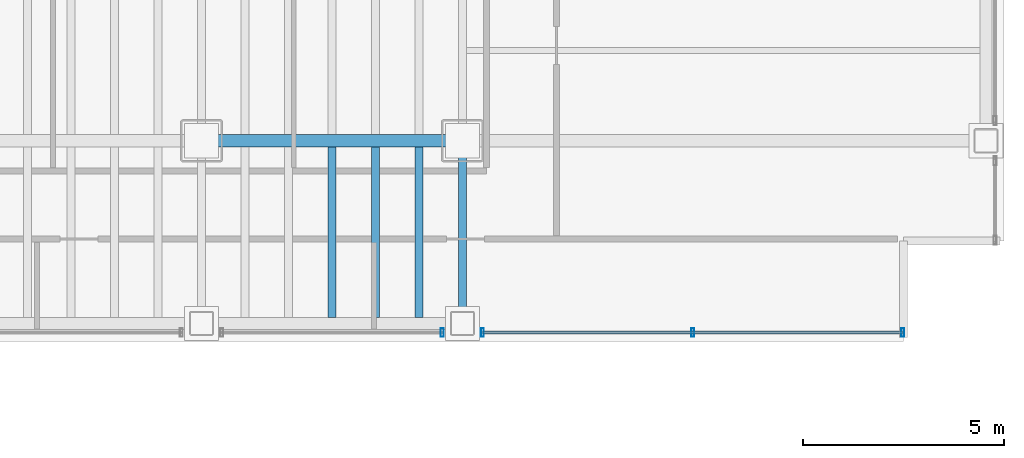
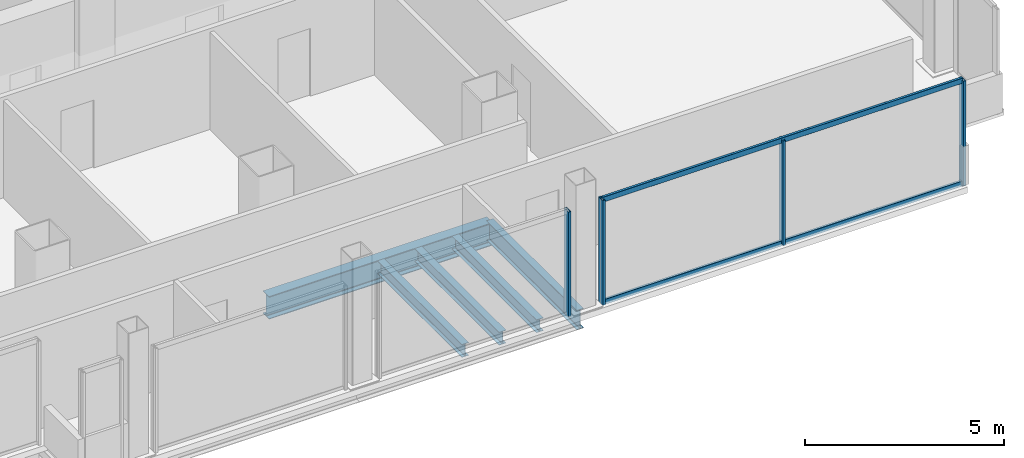
# One storey, part 8 of 20: 6 members, 5 beams, 2 elements without a shape of their own.
"""IFC4 building model written with IfcOpenShell, lengths in metres."""

from ifc_helpers import new_model, si_unit, direction, frame, origin, origin_2d, place, context, subcontext, project, spatial, hollow_rectangle, i_section, extrude, material, material_profile, profile_set, type_object, element, aggregate, save


model = new_model("IFC4")

# Units and contexts
model_context = context("Model", 3, precision=1e-05, world=origin(), true_north=direction((0.0, 1.0)))
body_context = subcontext(model_context, "Body", "Model", "MODEL_VIEW")
ifc_project = project(units=[si_unit("LENGTHUNIT", "METRE"), si_unit("AREAUNIT", "SQUARE_METRE"), si_unit("VOLUMEUNIT", "CUBIC_METRE"), si_unit("PLANEANGLEUNIT", "RADIAN"), si_unit("MASSUNIT", "GRAM", prefix="KILO")], contexts=[model_context])

# Site, building, storey
site_placement = place(None, origin())
site = spatial("IfcSite", under=ifc_project, at=site_placement, CompositionType="ELEMENT")
building_placement = place(site_placement, origin())
building = spatial("IfcBuilding", under=site, at=building_placement, Name="Noeulbin Bourse Tower", CompositionType="ELEMENT")
storey_placement = place(building_placement, frame((0.0, 0.0, 61.60009765625)))
storey = spatial("IfcBuildingStorey", under=building, at=storey_placement, Name="L15", CompositionType="ELEMENT", Elevation=61.60009765625)

# Beams
ifc_material_1 = material(Name="Steel S355", Category="steel")
ifc_material_profile_1 = material_profile(ifc_material_1, i_section(OverallWidth=0.199951171875, OverallDepth=0.60009765625, WebThickness=0.010986328125, FlangeThickness=0.01708984375, FilletRadius=0.02197265625, at=origin_2d()), Name="H-600x200x11x17", Category="LoadBearing")
ifc_profile_set_1 = profile_set([ifc_material_profile_1], Name="Steel S355")
beam_type_1 = type_object("IfcBeamType", Name="BM-GRD-600", PredefinedType="USERDEFINED", material=ifc_profile_set_1)
beam_1_placement = place(storey_placement, frame((44.0, 15.449951171875, -0.47998046875), z_axis=(0.0, 1.0, 0.0), x_axis=(-1.0, 0.0, 0.0)))
element("IfcBeam", 1, at=beam_1_placement, inside=storey, type_object=beam_type_1, Name="Tower Primary Girder NS L15-5.1", ObjectType="GIRDER", PredefinedType="USERDEFINED", context=body_context, shape_type="SweptSolid", body=[
    extrude(i_section(OverallWidth=0.199951171875, OverallDepth=0.60009765625, WebThickness=0.010986328125, FlangeThickness=0.01708984375, FilletRadius=0.02197265625, at=origin_2d()), origin(), (0.0, 0.0, 1.0), 4.550048828125),
])
ifc_material_profile_2 = material_profile(ifc_material_1, i_section(OverallWidth=0.300048828125, OverallDepth=0.699951171875, WebThickness=0.012939453125, FlangeThickness=0.02392578125, FilletRadius=0.02392578125, at=origin_2d()), Name="H-700x300x13x24", Category="LoadBearing")
ifc_profile_set_2 = profile_set([ifc_material_profile_2], Name="Steel S355")
beam_type_2 = type_object("IfcBeamType", Name="BM-GRD-700", PredefinedType="USERDEFINED", material=ifc_profile_set_2)
beam_2_placement = place(storey_placement, frame((37.5, 20.0, -0.530029296875), z_axis=(1.0, 0.0, 0.0), x_axis=(0.0, 1.0, 0.0)))
element("IfcBeam", 2, at=beam_2_placement, inside=storey, type_object=beam_type_2, Name="Tower Primary Girder EW L15-1.5", ObjectType="GIRDER", PredefinedType="USERDEFINED", context=body_context, shape_type="SweptSolid", body=[
    extrude(i_section(OverallWidth=0.300048828125, OverallDepth=0.699951171875, WebThickness=0.012939453125, FlangeThickness=0.02392578125, FilletRadius=0.02392578125, at=origin_2d()), origin(), (0.0, 0.0, 1.0), 6.5),
])
ifc_material_profile_3 = material_profile(ifc_material_1, i_section(OverallWidth=0.199951171875, OverallDepth=0.39990234375, WebThickness=0.008056640625, FlangeThickness=0.012939453125, FilletRadius=0.01611328125, at=origin_2d()), Name="H-400x200x8x13", Category="LoadBearing")
ifc_profile_set_3 = profile_set([ifc_material_profile_3], Name="Steel S355")
beam_type_3 = type_object("IfcBeamType", Name="BM-SEC-400", PredefinedType="BEAM", material=ifc_profile_set_3)
for number, where, z_axis, x_axis, name in (
    (3, (40.75, 15.60009765625, -0.380126953125), (0.0, 1.0, 0.0), (-1.0, 0.0, 0.0), "Tower Composite Joist L15-61"),
    (4, (41.833251953125, 15.60009765625, -0.380126953125), (0.0, 1.0, 0.0), (-1.0, 0.0, 0.0), "Tower Composite Joist L15-64"),
    (5, (42.916748046875, 15.60009765625, -0.380126953125), (0.0, 1.0, 0.0), (-1.0, 0.0, 0.0), "Tower Composite Joist L15-67"),
):
    element("IfcBeam", number, at=place(storey_placement, frame(where, z_axis=z_axis, x_axis=x_axis)), inside=storey, type_object=beam_type_3, Name=name, PredefinedType="BEAM", context=body_context, shape_type="SweptSolid", body=[
        extrude(i_section(OverallWidth=0.199951171875, OverallDepth=0.39990234375, WebThickness=0.008056640625, FlangeThickness=0.012939453125, FilletRadius=0.01611328125, at=origin_2d()), origin(), (0.0, 0.0, 1.0), 4.25),
    ])

# Curtain wall, member
ifc_material_2 = material(Name="Dark Solar-Control Double Glazing", Category="glass")
curtain_wall_type = type_object("IfcCurtainWallType", Name="CW-SYS-2", PredefinedType="NOTDEFINED", material=ifc_material_2)
curtain_wall_1_placement = place(storey_placement, origin())
curtain_wall_1 = element("IfcCurtainWall", 6, at=curtain_wall_1_placement, inside=storey, type_object=curtain_wall_type, Name="Unitised Curtain Wall CW-L15-S3-S3", PredefinedType="NOTDEFINED")
ifc_material_3 = material(Name="Anodised Aluminium 6063-T6", Category="aluminium")
ifc_material_profile_4 = material_profile(ifc_material_3, hollow_rectangle(XDim=0.074951171875, YDim=0.219970703125, WallThickness=0.0048828125, InnerFilletRadius=0.00244140625, OuterFilletRadius=0.0048828125, at=origin_2d()), Name="ALU-MULL-75x220x5", Category="LoadBearing")
ifc_profile_set_4 = profile_set([ifc_material_profile_4], Name="Anodised Aluminium 6063-T6")
member_type_1 = type_object("IfcMemberType", Name="CW-SYS-2-MUL", PredefinedType="MULLION", material=ifc_profile_set_4)
member_1_placement = place(storey_placement, frame((43.5, 15.219970703125, -0.02001953125), z_axis=(0.0, 0.0, 1.0), x_axis=(1.0, 0.0, 0.0)))
member_1 = element("IfcMember", 7, at=member_1_placement, type_object=member_type_1, Name="Curtain Wall Mullion CW-L15-S3-S3-M01", PredefinedType="MULLION", context=body_context, shape_type="SweptSolid", body=[
    extrude(hollow_rectangle(XDim=0.074951171875, YDim=0.219970703125, WallThickness=0.0048828125, InnerFilletRadius=0.00244140625, OuterFilletRadius=0.0048828125, at=origin_2d()), origin(), (0.0, 0.0, 1.0), 3.219970703125),
])
aggregate(curtain_wall_1, [member_1])

# Curtain wall, members
curtain_wall_2_placement = place(storey_placement, origin())
curtain_wall_2 = element("IfcCurtainWall", 8, at=curtain_wall_2_placement, inside=storey, type_object=curtain_wall_type, Name="Unitised Curtain Wall CW-L15-S3-S4", PredefinedType="NOTDEFINED")
member_2_placement = place(storey_placement, frame((44.5, 15.219970703125, -0.02001953125), z_axis=(0.0, 0.0, 1.0), x_axis=(1.0, 0.0, 0.0)))
member_2 = element("IfcMember", 9, at=member_2_placement, type_object=member_type_1, Name="Curtain Wall Mullion CW-L15-S3-S4-M00", PredefinedType="MULLION", context=body_context, shape_type="SweptSolid", body=[
    extrude(hollow_rectangle(XDim=0.074951171875, YDim=0.219970703125, WallThickness=0.0048828125, InnerFilletRadius=0.00244140625, OuterFilletRadius=0.0048828125, at=origin_2d()), origin(), (0.0, 0.0, 1.0), 3.219970703125),
])
member_3_placement = place(storey_placement, frame((49.739990234375, 15.219970703125, -0.02001953125), z_axis=(0.0, 0.0, 1.0), x_axis=(1.0, 0.0, 0.0)))
member_3 = element("IfcMember", 10, at=member_3_placement, type_object=member_type_1, Name="Curtain Wall Mullion CW-L15-S3-S4-M01", PredefinedType="MULLION", context=body_context, shape_type="SweptSolid", body=[
    extrude(hollow_rectangle(XDim=0.074951171875, YDim=0.219970703125, WallThickness=0.0048828125, InnerFilletRadius=0.00244140625, OuterFilletRadius=0.0048828125, at=origin_2d()), origin(), (0.0, 0.0, 1.0), 3.219970703125),
])
member_4_placement = place(storey_placement, frame((54.97998046875, 15.219970703125, -0.02001953125), z_axis=(0.0, 0.0, 1.0), x_axis=(1.0, 0.0, 0.0)))
member_4 = element("IfcMember", 11, at=member_4_placement, type_object=member_type_1, Name="Curtain Wall Mullion CW-L15-S3-S4-M02", PredefinedType="MULLION", context=body_context, shape_type="SweptSolid", body=[
    extrude(hollow_rectangle(XDim=0.074951171875, YDim=0.219970703125, WallThickness=0.0048828125, InnerFilletRadius=0.00244140625, OuterFilletRadius=0.0048828125, at=origin_2d()), origin(), (0.0, 0.0, 1.0), 3.219970703125),
])
ifc_material_profile_5 = material_profile(ifc_material_3, hollow_rectangle(XDim=0.074951171875, YDim=0.159912109375, WallThickness=0.0048828125, InnerFilletRadius=0.00244140625, OuterFilletRadius=0.0048828125, at=origin_2d()), Name="ALU-TRAN-75x160x5", Category="LoadBearing")
ifc_profile_set_5 = profile_set([ifc_material_profile_5], Name="Anodised Aluminium 6063-T6")
member_type_2 = type_object("IfcMemberType", Name="CW-SYS-2-TRN", PredefinedType="USERDEFINED", material=ifc_profile_set_5)
member_5_placement = place(storey_placement, frame((44.510009765625, 15.219970703125, 0.010009765625), z_axis=(1.0, 0.0, 0.0), x_axis=(0.0, 1.0, 0.0)))
member_5 = element("IfcMember", 12, at=member_5_placement, type_object=member_type_2, Name="Curtain Wall Transom CW-L15-S3-S4-T00", ObjectType="TRANSOM", PredefinedType="USERDEFINED", context=body_context, shape_type="SweptSolid", body=[
    extrude(hollow_rectangle(XDim=0.074951171875, YDim=0.159912109375, WallThickness=0.0048828125, InnerFilletRadius=0.00244140625, OuterFilletRadius=0.0048828125, at=origin_2d()), origin(), (0.0, 0.0, 1.0), 10.4599609375),
])
member_6_placement = place(storey_placement, frame((44.510009765625, 15.219970703125, 3.169921875), z_axis=(1.0, 0.0, 0.0), x_axis=(0.0, 1.0, 0.0)))
member_6 = element("IfcMember", 13, at=member_6_placement, type_object=member_type_2, Name="Curtain Wall Transom CW-L15-S3-S4-T01", ObjectType="TRANSOM", PredefinedType="USERDEFINED", context=body_context, shape_type="SweptSolid", body=[
    extrude(hollow_rectangle(XDim=0.074951171875, YDim=0.159912109375, WallThickness=0.0048828125, InnerFilletRadius=0.00244140625, OuterFilletRadius=0.0048828125, at=origin_2d()), origin(), (0.0, 0.0, 1.0), 10.4599609375),
])
aggregate(curtain_wall_2, [member_2, member_3, member_4, member_5, member_6])

save(model, "model.ifc")
